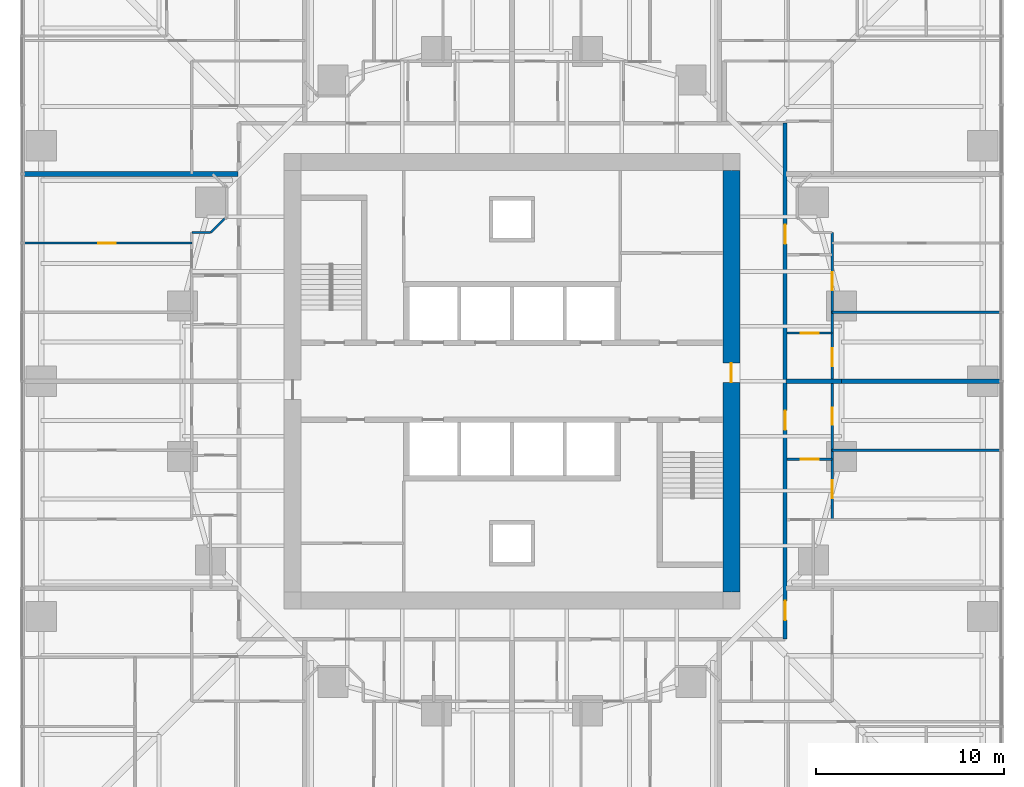
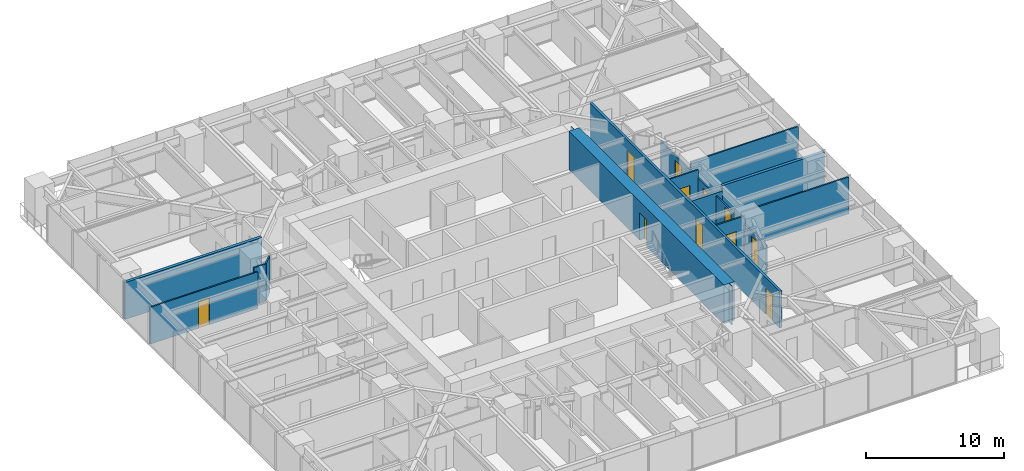
# One storey, part 11 of 17: 13 walls, 11 doors, 11 openings.
"""IFC4 building model written with IfcOpenShell, lengths in metres."""

from ifc_helpers import new_model, si_unit, direction, frame, frame_2d, origin, place, context, subcontext, project, spatial, polyline, rectangle, outline, extrude, material, layer, layer_set, type_object, element, fill, save


model = new_model("IFC4")

# Units and contexts
model_context = context("Model", 3, precision=1e-05, world=origin(), true_north=direction((0.0, 1.0)))
body_context = subcontext(model_context, "Body", "Model", "MODEL_VIEW")
ifc_project = project(units=[si_unit("LENGTHUNIT", "METRE"), si_unit("AREAUNIT", "SQUARE_METRE"), si_unit("VOLUMEUNIT", "CUBIC_METRE"), si_unit("PLANEANGLEUNIT", "RADIAN"), si_unit("MASSUNIT", "GRAM", prefix="KILO")], contexts=[model_context])

# Site, building, storey
site_placement = place(None, origin())
site = spatial("IfcSite", under=ifc_project, at=site_placement, CompositionType="ELEMENT")
building_placement = place(site_placement, origin())
building = spatial("IfcBuilding", under=site, at=building_placement, Name="Torsade Residences", CompositionType="ELEMENT")
storey_placement = place(building_placement, frame((0.0, 0.0, 21.800048828125)))
storey = spatial("IfcBuildingStorey", under=building, at=storey_placement, Name="L05", CompositionType="ELEMENT", Elevation=21.800048828125)

# Wall, opening, door
ifc_material_1 = material(Name="Concrete 80 MPa", Category="concrete")
ifc_layer_1 = layer(ifc_material_1, 0.89990234375)
ifc_layer_set_1 = layer_set([ifc_layer_1], Name="Concrete 80 MPa")
wall_type_1 = type_object("IfcWallType", Name="CORE WALL 900", PredefinedType="SHEAR", material=ifc_layer_set_1)
wall_1_placement = place(storey_placement, frame((51.64990234375, 18.800048828125, 0.0), z_axis=(0.0, 0.0, 1.0), x_axis=(0.0, 1.0, 0.0)))
wall_1 = element("IfcWall", 1, at=wall_1_placement, inside=storey, type_object=wall_type_1, Name="Core wall E L05", PredefinedType="SHEAR", context=body_context, shape_type="SweptSolid", body=[
    extrude(outline(polyline([(0.0, -0.449951171875), (22.39990234375, -0.449951171875), (22.39990234375, -0.02490234375), (22.849853515625, -0.02490234375), (22.849853515625, 0.02490234375), (22.39990234375, 0.02490234375), (22.39990234375, 0.449951171875), (0.0, 0.449951171875), (0.0, 0.02490234375), (-0.449951171875, 0.02490234375), (-0.449951171875, -0.02490234375), (0.0, -0.02490234375), (0.0, -0.449951171875)])), origin(), (0.0, 0.0, 1.0), 3.39990234375),
])
opening_1_placement = place(wall_1_placement, frame((11.139892578125, 0.0, 0.0)))
opening_1 = element("IfcOpeningElement", 2, at=opening_1_placement, cuts=wall_1, Name="Opening D04", PredefinedType="OPENING", context=body_context, shape_type="SweptSolid", body=[
    extrude(rectangle(XDim=1.02001953125, YDim=2.39990234375, at=frame_2d((0.510009765625, 1.199951171875))), frame((0.0, 0.4599609375, 0.0), z_axis=(0.0, -1.0, 0.0), x_axis=(1.0, 0.0, 0.0)), (0.0, 0.0, 1.0), 0.919921875),
])
ifc_material_2 = material(Name="Steel-framed fire door", Category="steel")
door_type_1 = type_object("IfcDoorType", Name="LOBBY SMOKE DOOR 1020x2400", OperationType="NOTDEFINED", PredefinedType="DOOR", material=ifc_material_2)
door_1_placement = place(opening_1_placement, origin())
door_1 = element("IfcDoor", 3, at=door_1_placement, inside=storey, type_object=door_type_1, Name="Lift lobby door E L05", OperationType="SINGLE_SWING_LEFT", OverallHeight=2.39990234375, OverallWidth=1.02001953125, PredefinedType="DOOR", context=body_context, shape_type="SweptSolid", body=[
    extrude(rectangle(XDim=1.02001953125, YDim=2.39990234375, at=frame_2d((0.510009765625, 1.199951171875))), frame((0.0, 0.02490234375, 0.0), z_axis=(0.0, -1.0, 0.0), x_axis=(1.0, 0.0, 0.0)), (0.0, 0.0, 1.0), 0.050048828125),
])
fill(opening_1, door_1)

# Wall, openings, doors
ifc_material_3 = material(Name="Plasterboard on steel stud", Category="steel")
ifc_layer_2 = layer(ifc_material_3, 0.199951171875)
ifc_layer_set_2 = layer_set([ifc_layer_2], Name="Plasterboard on steel stud")
wall_type_2 = type_object("IfcWallType", Name="CORRIDOR WALL 200", PredefinedType="PARTITIONING", material=ifc_layer_set_2)
wall_2_placement = place(storey_placement, frame((54.5, 16.300048828125, 0.0), z_axis=(0.0, 0.0, 1.0), x_axis=(0.0, 1.0, 0.0)))
wall_2 = element("IfcWall", 4, at=wall_2_placement, inside=storey, type_object=wall_type_2, Name="Corridor wall L05", PredefinedType="PARTITIONING", context=body_context, shape_type="SweptSolid", body=[
    extrude(rectangle(XDim=27.39990234375, YDim=0.199951171875, at=frame_2d((13.699951171875, 0.0))), origin(), (0.0, 0.0, 1.0), 3.25),
])
opening_2_placement = place(wall_2_placement, frame((20.998291015625, 0.0, 0.0)))
opening_2 = element("IfcOpeningElement", 5, at=opening_2_placement, cuts=wall_2, Name="Opening D01", PredefinedType="OPENING", context=body_context, shape_type="SweptSolid", body=[
    extrude(rectangle(XDim=1.02001953125, YDim=2.340087890625, at=frame_2d((0.510009765625, 1.169921875))), frame((0.0, 0.10986328125, 0.0), z_axis=(0.0, -1.0, 0.0), x_axis=(1.0, 0.0, 0.0)), (0.0, 0.0, 1.0), 0.219970703125),
])
opening_3_placement = place(wall_2_placement, frame((11.118896484375, 0.0, 0.0)))
opening_3 = element("IfcOpeningElement", 6, at=opening_3_placement, cuts=wall_2, Name="Opening D01", PredefinedType="OPENING", context=body_context, shape_type="SweptSolid", body=[
    extrude(rectangle(XDim=1.02001953125, YDim=2.340087890625, at=frame_2d((0.510009765625, 1.169921875))), frame((0.0, 0.10986328125, 0.0), z_axis=(0.0, -1.0, 0.0), x_axis=(1.0, 0.0, 0.0)), (0.0, 0.0, 1.0), 0.219970703125),
])
opening_4_placement = place(wall_2_placement, frame((1.014892578125, 0.0, 0.0)))
opening_4 = element("IfcOpeningElement", 7, at=opening_4_placement, cuts=wall_2, Name="Opening D01", PredefinedType="OPENING", context=body_context, shape_type="SweptSolid", body=[
    extrude(rectangle(XDim=1.02001953125, YDim=2.340087890625, at=frame_2d((0.510009765625, 1.169921875))), frame((0.0, 0.10986328125, 0.0), z_axis=(0.0, -1.0, 0.0), x_axis=(1.0, 0.0, 0.0)), (0.0, 0.0, 1.0), 0.219970703125),
])
ifc_material_4 = material(Name="Solid-core timber fire door", Category="wood")
door_type_2 = type_object("IfcDoorType", Name="APARTMENT ENTRY DOOR 1020x2340", OperationType="NOTDEFINED", PredefinedType="DOOR", material=ifc_material_4)
door_2_placement = place(opening_2_placement, origin())
door_2 = element("IfcDoor", 8, at=door_2_placement, inside=storey, type_object=door_type_2, Name="Door Residential corridor to Kitchen and dining", OperationType="SINGLE_SWING_LEFT", OverallHeight=2.340087890625, OverallWidth=1.02001953125, PredefinedType="DOOR", context=body_context, shape_type="SweptSolid", body=[
    extrude(rectangle(XDim=1.02001953125, YDim=2.340087890625, at=frame_2d((0.510009765625, 1.169921875))), frame((0.0, 0.02490234375, 0.0), z_axis=(0.0, -1.0, 0.0), x_axis=(1.0, 0.0, 0.0)), (0.0, 0.0, 1.0), 0.050048828125),
])
fill(opening_2, door_2)
door_3_placement = place(opening_3_placement, origin())
door_3 = element("IfcDoor", 9, at=door_3_placement, inside=storey, type_object=door_type_2, Name="Door Residential corridor to Kitchen and dining", OperationType="SINGLE_SWING_LEFT", OverallHeight=2.340087890625, OverallWidth=1.02001953125, PredefinedType="DOOR", context=body_context, shape_type="SweptSolid", body=[
    extrude(rectangle(XDim=1.02001953125, YDim=2.340087890625, at=frame_2d((0.510009765625, 1.169921875))), frame((0.0, 0.02490234375, 0.0), z_axis=(0.0, -1.0, 0.0), x_axis=(1.0, 0.0, 0.0)), (0.0, 0.0, 1.0), 0.050048828125),
])
fill(opening_3, door_3)
door_4_placement = place(opening_4_placement, origin())
door_4 = element("IfcDoor", 10, at=door_4_placement, inside=storey, type_object=door_type_2, Name="Door Residential corridor to Kitchen and dining", OperationType="SINGLE_SWING_LEFT", OverallHeight=2.340087890625, OverallWidth=1.02001953125, PredefinedType="DOOR", context=body_context, shape_type="SweptSolid", body=[
    extrude(rectangle(XDim=1.02001953125, YDim=2.340087890625, at=frame_2d((0.510009765625, 1.169921875))), frame((0.0, 0.02490234375, 0.0), z_axis=(0.0, -1.0, 0.0), x_axis=(1.0, 0.0, 0.0)), (0.0, 0.0, 1.0), 0.050048828125),
])
fill(opening_4, door_4)

# Wall, opening, door
ifc_material_5 = material(Name="Plasterboard on steel stud", Category="steel")
ifc_layer_3 = layer(ifc_material_5, 0.1201171875)
ifc_layer_set_3 = layer_set([ifc_layer_3], Name="Plasterboard on steel stud")
wall_type_3 = type_object("IfcWallType", Name="PARTITION 120", PredefinedType="PARTITIONING", material=ifc_layer_set_3)
wall_3_placement = place(storey_placement, frame((57.0, 25.85791015625, 0.0), z_axis=(0.0, 0.0, 1.0), x_axis=(-1.0, 0.0, 0.0)))
wall_3 = element("IfcWall", 11, at=wall_3_placement, inside=storey, type_object=wall_type_3, Name="Partition L05", PredefinedType="PARTITIONING", context=body_context, shape_type="SweptSolid", body=[
    extrude(rectangle(XDim=2.39990234375, YDim=0.1201171875, at=frame_2d((1.199951171875, 0.0))), origin(), (0.0, 0.0, 1.0), 3.25),
])
opening_5_placement = place(wall_3_placement, frame((0.719970703125, 0.0, 0.0)))
opening_5 = element("IfcOpeningElement", 12, at=opening_5_placement, cuts=wall_3, Name="Opening D05", PredefinedType="OPENING", context=body_context, shape_type="SweptSolid", body=[
    extrude(rectangle(XDim=0.9599609375, YDim=2.10009765625, at=frame_2d((0.47998046875, 1.050048828125))), frame((0.0, 0.070068359375, 0.0), z_axis=(0.0, -1.0, 0.0), x_axis=(1.0, 0.0, 0.0)), (0.0, 0.0, 1.0), 0.14013671875),
])
ifc_material_6 = material(Name="Hollow-core timber door in a steel cavity frame", Category="steel")
door_type_3 = type_object("IfcDoorType", Name="BATHROOM CAVITY SLIDING DOOR 960", OperationType="SLIDING_TO_LEFT", PredefinedType="DOOR", material=ifc_material_6)
door_5_placement = place(opening_5_placement, origin())
door_5 = element("IfcDoor", 13, at=door_5_placement, inside=storey, type_object=door_type_3, Name="Door Kitchen and dining to Ensuite", OperationType="SLIDING_TO_LEFT", OverallHeight=2.10009765625, OverallWidth=0.9599609375, PredefinedType="DOOR", context=body_context, shape_type="SweptSolid", body=[
    extrude(rectangle(XDim=0.9599609375, YDim=2.10009765625, at=frame_2d((0.47998046875, 1.050048828125))), frame((0.0, 0.02490234375, 0.0), z_axis=(0.0, -1.0, 0.0), x_axis=(1.0, 0.0, 0.0)), (0.0, 0.0, 1.0), 0.050048828125),
])
fill(opening_5, door_5)

# Wall, openings, doors
wall_4_placement = place(storey_placement, frame((57.0, 37.89990234375, 0.0), z_axis=(0.0, 0.0, 1.0), x_axis=(0.0, -1.0, 0.0)))
wall_4 = element("IfcWall", 14, at=wall_4_placement, inside=storey, type_object=wall_type_3, Name="Partition L05", PredefinedType="PARTITIONING", context=body_context, shape_type="SweptSolid", body=[
    extrude(rectangle(XDim=15.251220703125, YDim=0.1201171875, at=frame_2d((7.62548828125, 0.0))), origin(), (0.0, 0.0, 1.0), 2.549072265625),
])
opening_6_placement = place(wall_4_placement, frame((9.29833984375, 0.0, 0.0)))
opening_6 = element("IfcOpeningElement", 15, at=opening_6_placement, cuts=wall_4, Name="Opening D02", PredefinedType="OPENING", context=body_context, shape_type="SweptSolid", body=[
    extrude(rectangle(XDim=0.919921875, YDim=2.340087890625, at=frame_2d((0.4599609375, 1.169921875))), frame((0.0, 0.070068359375, 0.0), z_axis=(0.0, -1.0, 0.0), x_axis=(1.0, 0.0, 0.0)), (0.0, 0.0, 1.0), 0.14013671875),
])
opening_7_placement = place(wall_4_placement, frame((2.103515625, 0.0, 0.0)))
opening_7 = element("IfcOpeningElement", 16, at=opening_7_placement, cuts=wall_4, Name="Opening D05", PredefinedType="OPENING", context=body_context, shape_type="SweptSolid", body=[
    extrude(rectangle(XDim=0.9599609375, YDim=2.10009765625, at=frame_2d((0.47998046875, 1.050048828125))), frame((0.0, 0.070068359375, 0.0), z_axis=(0.0, -1.0, 0.0), x_axis=(1.0, 0.0, 0.0)), (0.0, 0.0, 1.0), 0.14013671875),
])
opening_8_placement = place(wall_4_placement, frame((13.166748046875, 0.0, 0.0)))
opening_8 = element("IfcOpeningElement", 17, at=opening_8_placement, cuts=wall_4, Name="Opening D05", PredefinedType="OPENING", context=body_context, shape_type="SweptSolid", body=[
    extrude(rectangle(XDim=0.9599609375, YDim=2.10009765625, at=frame_2d((0.47998046875, 1.050048828125))), frame((0.0, 0.070068359375, 0.0), z_axis=(0.0, -1.0, 0.0), x_axis=(1.0, 0.0, 0.0)), (0.0, 0.0, 1.0), 0.14013671875),
])
opening_9_placement = place(wall_4_placement, frame((6.142333984375, 0.0, 0.0)))
opening_9 = element("IfcOpeningElement", 18, at=opening_9_placement, cuts=wall_4, Name="Opening D05", PredefinedType="OPENING", context=body_context, shape_type="SweptSolid", body=[
    extrude(rectangle(XDim=0.9599609375, YDim=2.10009765625, at=frame_2d((0.47998046875, 1.050048828125))), frame((0.0, 0.070068359375, 0.0), z_axis=(0.0, -1.0, 0.0), x_axis=(1.0, 0.0, 0.0)), (0.0, 0.0, 1.0), 0.14013671875),
])
door_6_placement = place(opening_7_placement, origin())
door_6 = element("IfcDoor", 19, at=door_6_placement, inside=storey, type_object=door_type_3, Name="Door Bathroom to Bedroom 2", OperationType="SLIDING_TO_LEFT", OverallHeight=2.10009765625, OverallWidth=0.9599609375, PredefinedType="DOOR", context=body_context, shape_type="SweptSolid", body=[
    extrude(rectangle(XDim=0.9599609375, YDim=2.10009765625, at=frame_2d((0.47998046875, 1.050048828125))), frame((0.0, 0.02490234375, 0.0), z_axis=(0.0, -1.0, 0.0), x_axis=(1.0, 0.0, 0.0)), (0.0, 0.0, 1.0), 0.050048828125),
])
fill(opening_7, door_6)
door_7_placement = place(opening_8_placement, origin())
door_7 = element("IfcDoor", 20, at=door_7_placement, inside=storey, type_object=door_type_3, Name="Door Ensuite to Bedroom 2", OperationType="SLIDING_TO_LEFT", OverallHeight=2.10009765625, OverallWidth=0.9599609375, PredefinedType="DOOR", context=body_context, shape_type="SweptSolid", body=[
    extrude(rectangle(XDim=0.9599609375, YDim=2.10009765625, at=frame_2d((0.47998046875, 1.050048828125))), frame((0.0, 0.02490234375, 0.0), z_axis=(0.0, -1.0, 0.0), x_axis=(1.0, 0.0, 0.0)), (0.0, 0.0, 1.0), 0.050048828125),
])
fill(opening_8, door_7)
door_8_placement = place(opening_9_placement, origin())
door_8 = element("IfcDoor", 21, at=door_8_placement, inside=storey, type_object=door_type_3, Name="Door Ensuite to Living room", OperationType="SLIDING_TO_LEFT", OverallHeight=2.10009765625, OverallWidth=0.9599609375, PredefinedType="DOOR", context=body_context, shape_type="SweptSolid", body=[
    extrude(rectangle(XDim=0.9599609375, YDim=2.10009765625, at=frame_2d((0.47998046875, 1.050048828125))), frame((0.0, 0.02490234375, 0.0), z_axis=(0.0, -1.0, 0.0), x_axis=(1.0, 0.0, 0.0)), (0.0, 0.0, 1.0), 0.050048828125),
])
fill(opening_9, door_8)
ifc_material_7 = material(Name="Hollow-core timber door", Category="wood")
door_type_4 = type_object("IfcDoorType", Name="INTERNAL DOOR 920x2340", OperationType="NOTDEFINED", PredefinedType="DOOR", material=ifc_material_7)
door_9_placement = place(opening_6_placement, origin())
door_9 = element("IfcDoor", 22, at=door_9_placement, inside=storey, type_object=door_type_4, Name="Door Kitchen and dining to Bedroom 1", OperationType="SINGLE_SWING_RIGHT", OverallHeight=2.340087890625, OverallWidth=0.919921875, PredefinedType="DOOR", context=body_context, shape_type="SweptSolid", body=[
    extrude(rectangle(XDim=0.919921875, YDim=2.340087890625, at=frame_2d((0.4599609375, 1.169921875))), frame((0.0, 0.02490234375, 0.0), z_axis=(0.0, -1.0, 0.0), x_axis=(1.0, 0.0, 0.0)), (0.0, 0.0, 1.0), 0.050048828125),
])
fill(opening_6, door_9)

# Wall
wall_5_placement = place(storey_placement, frame((65.9599609375, 26.333251953125, 0.0), z_axis=(0.0, 0.0, 1.0), x_axis=(-1.0, 0.0, 0.0)))
element("IfcWall", 23, at=wall_5_placement, inside=storey, type_object=wall_type_3, Name="Partition L05", PredefinedType="PARTITIONING", context=body_context, shape_type="SweptSolid", body=[
    extrude(rectangle(XDim=8.9599609375, YDim=0.1201171875, at=frame_2d((4.47998046875, 0.0))), origin(), (0.0, 0.0, 1.0), 3.25),
])

# Wall, opening, door
wall_6_placement = place(storey_placement, frame((57.0, 32.555419921875, 0.0), z_axis=(0.0, 0.0, 1.0), x_axis=(-1.0, 0.0, 0.0)))
wall_6 = element("IfcWall", 24, at=wall_6_placement, inside=storey, type_object=wall_type_3, Name="Partition L05", PredefinedType="PARTITIONING", context=body_context, shape_type="SweptSolid", body=[
    extrude(rectangle(XDim=2.39990234375, YDim=0.1201171875, at=frame_2d((1.199951171875, 0.0))), origin(), (0.0, 0.0, 1.0), 3.25),
])
opening_10_placement = place(wall_6_placement, frame((0.719970703125, 0.0, 0.0)))
opening_10 = element("IfcOpeningElement", 25, at=opening_10_placement, cuts=wall_6, Name="Opening D05", PredefinedType="OPENING", context=body_context, shape_type="SweptSolid", body=[
    extrude(rectangle(XDim=0.9599609375, YDim=2.10009765625, at=frame_2d((0.47998046875, 1.050048828125))), frame((0.0, 0.070068359375, 0.0), z_axis=(0.0, -1.0, 0.0), x_axis=(1.0, 0.0, 0.0)), (0.0, 0.0, 1.0), 0.14013671875),
])
door_10_placement = place(opening_10_placement, origin())
door_10 = element("IfcDoor", 26, at=door_10_placement, inside=storey, type_object=door_type_3, Name="Door Bathroom to Ensuite", OperationType="SLIDING_TO_LEFT", OverallHeight=2.10009765625, OverallWidth=0.9599609375, PredefinedType="DOOR", context=body_context, shape_type="SweptSolid", body=[
    extrude(rectangle(XDim=0.9599609375, YDim=2.10009765625, at=frame_2d((0.47998046875, 1.050048828125))), frame((0.0, 0.02490234375, 0.0), z_axis=(0.0, -1.0, 0.0), x_axis=(1.0, 0.0, 0.0)), (0.0, 0.0, 1.0), 0.050048828125),
])
fill(opening_10, door_10)

# Walls
wall_7_placement = place(storey_placement, frame((57.0, 33.666748046875, 0.0), z_axis=(0.0, 0.0, 1.0), x_axis=(1.0, 0.0, 0.0)))
element("IfcWall", 27, at=wall_7_placement, inside=storey, type_object=wall_type_3, Name="Partition L05", PredefinedType="PARTITIONING", context=body_context, shape_type="SweptSolid", body=[
    extrude(rectangle(XDim=8.9599609375, YDim=0.1201171875, at=frame_2d((4.47998046875, 0.0))), origin(), (0.0, 0.0, 1.0), 3.25),
])
wall_8_placement = place(storey_placement, frame((23.0, 37.89990234375, 0.0), z_axis=(0.0, 0.0, 1.0), x_axis=(1.0, 0.0, 0.0)))
element("IfcWall", 28, at=wall_8_placement, inside=storey, type_object=wall_type_3, Name="Partition L05", PredefinedType="PARTITIONING", context=body_context, shape_type="SweptSolid", body=[
    extrude(rectangle(XDim=1.0, YDim=0.1201171875, at=frame_2d((0.5, 0.0))), origin(), (0.0, 0.0, 1.0), 3.25),
])
wall_9_placement = place(storey_placement, frame((24.0, 37.89990234375, 0.0), z_axis=(0.0, 0.0, 1.0), x_axis=(0.707106781187, 0.707106781187, 0.0)))
element("IfcWall", 29, at=wall_9_placement, inside=storey, type_object=wall_type_3, Name="Partition L05", PredefinedType="PARTITIONING", context=body_context, shape_type="SweptSolid", body=[
    extrude(rectangle(XDim=1.060546875, YDim=0.1201171875, at=frame_2d((0.5302734375, 0.0))), origin(), (0.0, 0.0, 1.0), 3.25),
])

# Wall, opening, door
wall_10_placement = place(storey_placement, frame((23.0, 37.333251953125, 0.0), z_axis=(0.0, 0.0, 1.0), x_axis=(-1.0, 0.0, 0.0)))
wall_10 = element("IfcWall", 30, at=wall_10_placement, inside=storey, type_object=wall_type_3, Name="Partition L05", PredefinedType="PARTITIONING", context=body_context, shape_type="SweptSolid", body=[
    extrude(rectangle(XDim=8.9599609375, YDim=0.1201171875, at=frame_2d((4.47998046875, 0.0))), origin(), (0.0, 0.0, 1.0), 3.25),
])
opening_11_placement = place(wall_10_placement, frame((4.0400390625, 0.0, 0.0)))
opening_11 = element("IfcOpeningElement", 31, at=opening_11_placement, cuts=wall_10, Name="Opening D02", PredefinedType="OPENING", context=body_context, shape_type="SweptSolid", body=[
    extrude(rectangle(XDim=0.919921875, YDim=2.340087890625, at=frame_2d((0.4599609375, 1.169921875))), frame((0.0, 0.070068359375, 0.0), z_axis=(0.0, -1.0, 0.0), x_axis=(1.0, 0.0, 0.0)), (0.0, 0.0, 1.0), 0.14013671875),
])
door_11_placement = place(opening_11_placement, origin())
door_11 = element("IfcDoor", 32, at=door_11_placement, inside=storey, type_object=door_type_4, Name="Door Bedroom 2 to Living room", OperationType="SINGLE_SWING_LEFT", OverallHeight=2.340087890625, OverallWidth=0.919921875, PredefinedType="DOOR", context=body_context, shape_type="SweptSolid", body=[
    extrude(rectangle(XDim=0.919921875, YDim=2.340087890625, at=frame_2d((0.4599609375, 1.169921875))), frame((0.0, 0.02490234375, 0.0), z_axis=(0.0, -1.0, 0.0), x_axis=(1.0, 0.0, 0.0)), (0.0, 0.0, 1.0), 0.050048828125),
])
fill(opening_11, door_11)

# Walls
ifc_material_8 = material(Name="Masonry-lined stud party wall", Category="masonry")
ifc_layer_4 = layer(ifc_material_8, 0.25)
ifc_layer_set_4 = layer_set([ifc_layer_4], Name="Masonry-lined stud party wall")
wall_type_4 = type_object("IfcWallType", Name="PARTY WALL 250", PredefinedType="PARTITIONING", material=ifc_layer_set_4)
wall_11_placement = place(storey_placement, frame((14.0, 41.0, 0.0), z_axis=(0.0, 0.0, 1.0), x_axis=(1.0, 0.0, 0.0)))
element("IfcWall", 33, at=wall_11_placement, inside=storey, type_object=wall_type_4, Name="Party wall L05", PredefinedType="PARTITIONING", context=body_context, shape_type="SweptSolid", body=[
    extrude(rectangle(XDim=11.43994140625, YDim=0.25, at=frame_2d((5.719970703125, 0.0))), origin(), (0.0, 0.0, 1.0), 3.25),
])
wall_12_placement = place(storey_placement, frame((66.0, 30.0, 0.0), z_axis=(0.0, 0.0, 1.0), x_axis=(-1.0, 0.0, 0.0)))
element("IfcWall", 34, at=wall_12_placement, inside=storey, type_object=wall_type_4, Name="Party wall L05", PredefinedType="PARTITIONING", context=body_context, shape_type="SweptSolid", body=[
    extrude(rectangle(XDim=8.5, YDim=0.25, at=frame_2d((4.25, 0.0))), origin(), (0.0, 0.0, 1.0), 3.25),
])
wall_13_placement = place(storey_placement, frame((57.5, 30.0, 0.0), z_axis=(0.0, 0.0, 1.0), x_axis=(-1.0, 0.0, 0.0)))
element("IfcWall", 35, at=wall_13_placement, inside=storey, type_object=wall_type_4, Name="Party wall L05", PredefinedType="PARTITIONING", context=body_context, shape_type="SweptSolid", body=[
    extrude(rectangle(XDim=2.93994140625, YDim=0.25, at=frame_2d((1.469970703125, 0.0))), origin(), (0.0, 0.0, 1.0), 2.7958984375),
])

save(model, "model.ifc")
